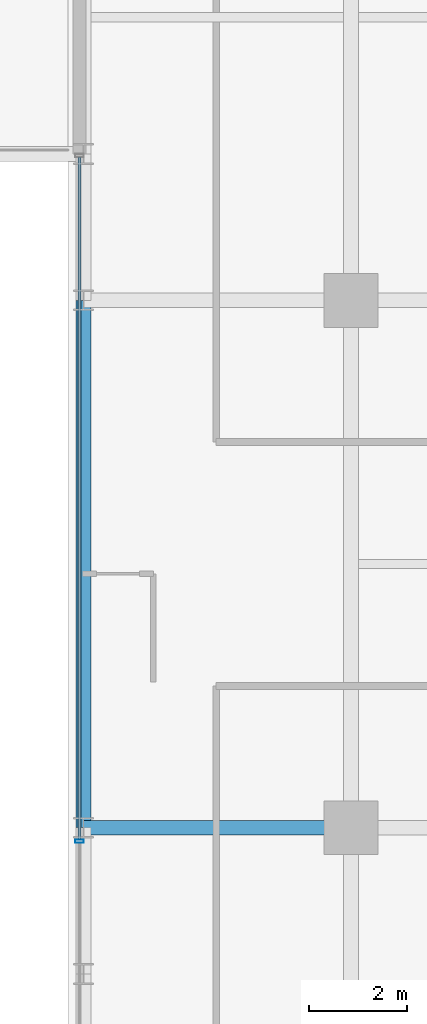
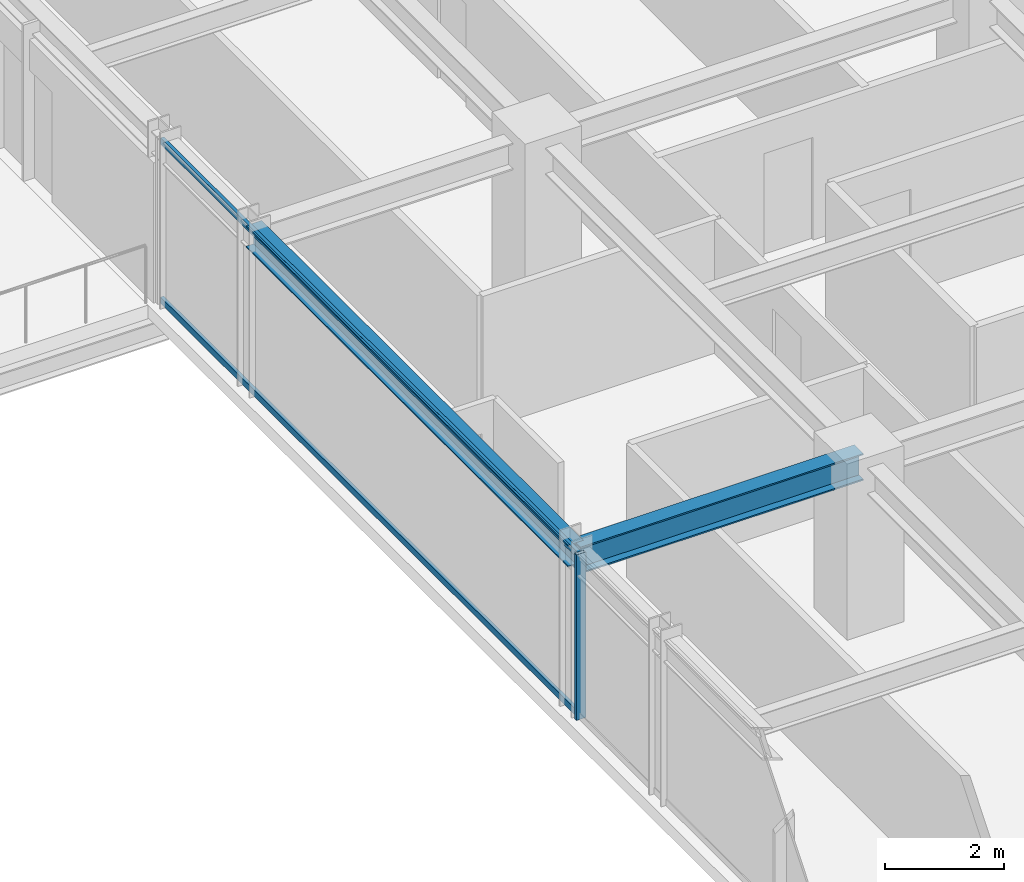
# One storey, part 6 of 32: 3 members, 2 beams, 1 element without a shape of its own.
"""IFC4 building model written with IfcOpenShell, lengths in metres."""

from ifc_helpers import new_model, si_unit, direction, frame, origin, origin_2d, place, context, subcontext, project, spatial, hollow_rectangle, i_section, extrude, source, transform, mapped, material, material_profile, profile_set, type_object, element, aggregate, save


model = new_model("IFC4")

# Units and contexts
model_context = context("Model", 3, precision=1e-05, world=origin(), true_north=direction((0.0, 1.0)))
body_context = subcontext(model_context, "Body", "Model", "MODEL_VIEW")
ifc_project = project(units=[si_unit("LENGTHUNIT", "METRE"), si_unit("AREAUNIT", "SQUARE_METRE"), si_unit("VOLUMEUNIT", "CUBIC_METRE"), si_unit("PLANEANGLEUNIT", "RADIAN"), si_unit("MASSUNIT", "GRAM", prefix="KILO")], contexts=[model_context])

# Site, building, storey
site_placement = place(None, origin())
site = spatial("IfcSite", under=ifc_project, at=site_placement, CompositionType="ELEMENT")
building_placement = place(site_placement, origin())
building = spatial("IfcBuilding", under=site, at=building_placement, Name="Nahalor Promenade Grand Hotel", CompositionType="ELEMENT")
storey_placement = place(building_placement, frame((0.0, 0.0, 152.64990234375)))
storey = spatial("IfcBuildingStorey", under=building, at=storey_placement, Name="L38", CompositionType="ELEMENT", Elevation=152.64990234375)

# Beams
ifc_material_1 = material(Name="Steel S355JR", Category="steel")
ifc_material_profile_1 = material_profile(ifc_material_1, i_section(OverallWidth=0.3, OverallDepth=0.55, WebThickness=0.015, FlangeThickness=0.029, at=origin_2d()), Name="HEB 550")
ifc_profile_set_1 = profile_set([ifc_material_profile_1], Name="Steel S355JR")
beam_type_1 = type_object("IfcBeamType", Name="Beam-Girder-HEB550", PredefinedType="BEAM", material=ifc_profile_set_1)
shared_shape_1 = source(origin(), body_context, "Body", "SweptSolid", [
    extrude(i_section(OverallWidth=0.3, OverallDepth=0.55, WebThickness=0.015, FlangeThickness=0.029, at=origin_2d()), origin(), (0.0, 0.0, 1.0), 5.47998046875),
])
beam_1_placement = place(storey_placement, frame((-22.47998046875, -5.39990234375, 3.114990234375), z_axis=(1.0, 0.0, 0.0), x_axis=(0.0, 1.0, 0.0)))
element("IfcBeam", 1, at=beam_1_placement, inside=storey, type_object=beam_type_1, Name="BM-L38-GX-1-0", PredefinedType="BEAM", context=body_context, shape_type="MappedRepresentation", body=[
    mapped(shared_shape_1, transform((0.0, 0.0, 0.0), scale=1.0)),
])
ifc_material_profile_2 = material_profile(ifc_material_1, i_section(OverallWidth=0.3, OverallDepth=0.45, WebThickness=0.014, FlangeThickness=0.026, at=origin_2d()), Name="HEB 450")
ifc_profile_set_2 = profile_set([ifc_material_profile_2], Name="Steel S355JR")
beam_type_2 = type_object("IfcBeamType", Name="Beam-Spandrel-HEB450", PredefinedType="SPANDREL", material=ifc_profile_set_2)
shared_shape_2 = source(origin(), body_context, "Body", "SweptSolid", [
    extrude(i_section(OverallWidth=0.3, OverallDepth=0.45, WebThickness=0.014, FlangeThickness=0.026, at=origin_2d()), origin(), (0.0, 0.0, 1.0), 10.7998046875),
])
beam_2_placement = place(storey_placement, frame((-22.47998046875, -5.39990234375, 3.1650390625), z_axis=(0.0, 1.0, 0.0), x_axis=(-1.0, 0.0, 0.0)))
element("IfcBeam", 2, at=beam_2_placement, inside=storey, type_object=beam_type_2, Name="BM-L38-SP-W-2", PredefinedType="SPANDREL", context=body_context, shape_type="MappedRepresentation", body=[
    mapped(shared_shape_2, transform((0.0, 0.0, 0.0), scale=1.0)),
])

# Curtain wall, members
ifc_material_2 = material(Name="Anodised Bronze Aluminium EN AW-6063 T6", Category="aluminium")
curtain_wall_type = type_object("IfcCurtainWallType", Name="CW2 Typical Hotel Flush Bronze Unitised Curtain Wall", PredefinedType="USERDEFINED", material=ifc_material_2)
curtain_wall_placement = place(storey_placement, origin())
curtain_wall = element("IfcCurtainWall", 3, at=curtain_wall_placement, inside=storey, type_object=curtain_wall_type, Name="L38 Curtain Wall CW-L38-W-1", ObjectType="UNITISED_CURTAIN_WALL", PredefinedType="USERDEFINED")
ifc_material_profile_3 = material_profile(ifc_material_2, hollow_rectangle(XDim=0.065, YDim=0.13, WallThickness=0.004, at=origin_2d()), Name="CWT 65x130x4")
ifc_profile_set_3 = profile_set([ifc_material_profile_3], Name="Anodised Bronze Aluminium EN AW-6063 T6")
member_type_1 = type_object("IfcMemberType", Name="CWT2 Typical Bronze Transom 65x130", PredefinedType="USERDEFINED", material=ifc_profile_set_3)
shared_shape_3 = source(origin(), body_context, "Body", "SweptSolid", [
    extrude(hollow_rectangle(XDim=0.065, YDim=0.13, WallThickness=0.004, at=origin_2d()), origin(), (0.0, 0.0, 1.0), 13.982421875),
])
member_1_placement = place(storey_placement, frame((-22.56005859375, -5.6474609375, 0.065185546875), z_axis=(0.0, 1.0, 0.0), x_axis=(-1.0, 0.0, 0.0)))
member_1 = element("IfcMember", 4, at=member_1_placement, type_object=member_type_1, Name="CW-L38-W-1 Transom 1-0", ObjectType="TRANSOM", PredefinedType="USERDEFINED", context=body_context, shape_type="MappedRepresentation", body=[
    mapped(shared_shape_3, transform((0.0, 0.0, 0.0), scale=1.0)),
])
member_2_placement = place(storey_placement, frame((-22.56005859375, -5.6474609375, 3.3251953125), z_axis=(0.0, 1.0, 0.0), x_axis=(-1.0, 0.0, 0.0)))
member_2 = element("IfcMember", 5, at=member_2_placement, type_object=member_type_1, Name="CW-L38-W-1 Transom 1-1", ObjectType="TRANSOM", PredefinedType="USERDEFINED", context=body_context, shape_type="MappedRepresentation", body=[
    mapped(shared_shape_3, transform((0.0, 0.0, 0.0), scale=1.0)),
])
ifc_material_profile_4 = material_profile(ifc_material_2, hollow_rectangle(XDim=0.065, YDim=0.18, WallThickness=0.004, at=origin_2d()), Name="CWM 65x180x4")
ifc_profile_set_4 = profile_set([ifc_material_profile_4], Name="Anodised Bronze Aluminium EN AW-6063 T6")
member_type_2 = type_object("IfcMemberType", Name="CWM2 Typical Bronze Mullion 65x180", PredefinedType="MULLION", material=ifc_profile_set_4)
shared_shape_4 = source(origin(), body_context, "Body", "SweptSolid", [
    extrude(hollow_rectangle(XDim=0.065, YDim=0.18, WallThickness=0.004, at=origin_2d()), origin(), (0.0, 0.0, 1.0), 3.39013671875),
])
member_3_placement = place(storey_placement, frame((-22.56005859375, -5.679931640625, 0.0), z_axis=(0.0, 0.0, 1.0), x_axis=(0.0, 1.0, 0.0)))
member_3 = element("IfcMember", 6, at=member_3_placement, type_object=member_type_2, Name="CW-L38-W-1 Mullion 1", PredefinedType="MULLION", context=body_context, shape_type="MappedRepresentation", body=[
    mapped(shared_shape_4, transform((0.0, 0.0, 0.0), scale=1.0)),
])
aggregate(curtain_wall, [member_3, member_1, member_2])

save(model, "model.ifc")
